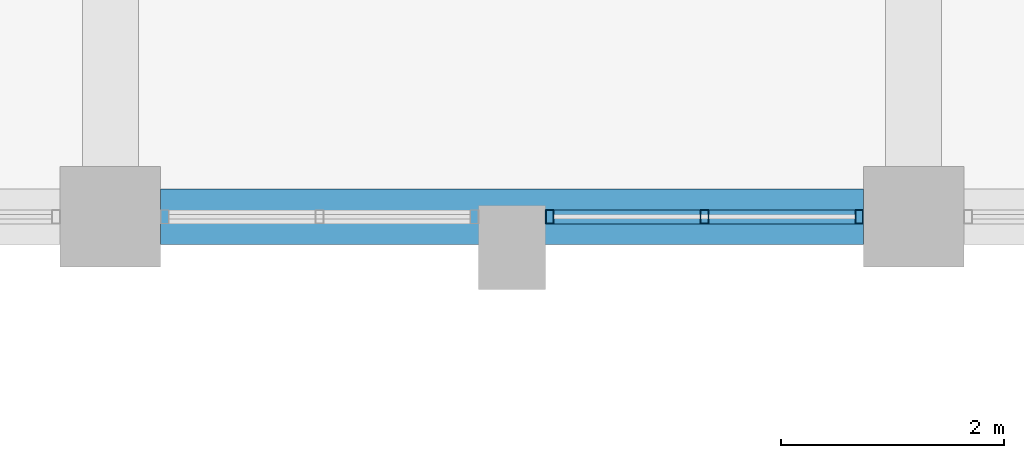
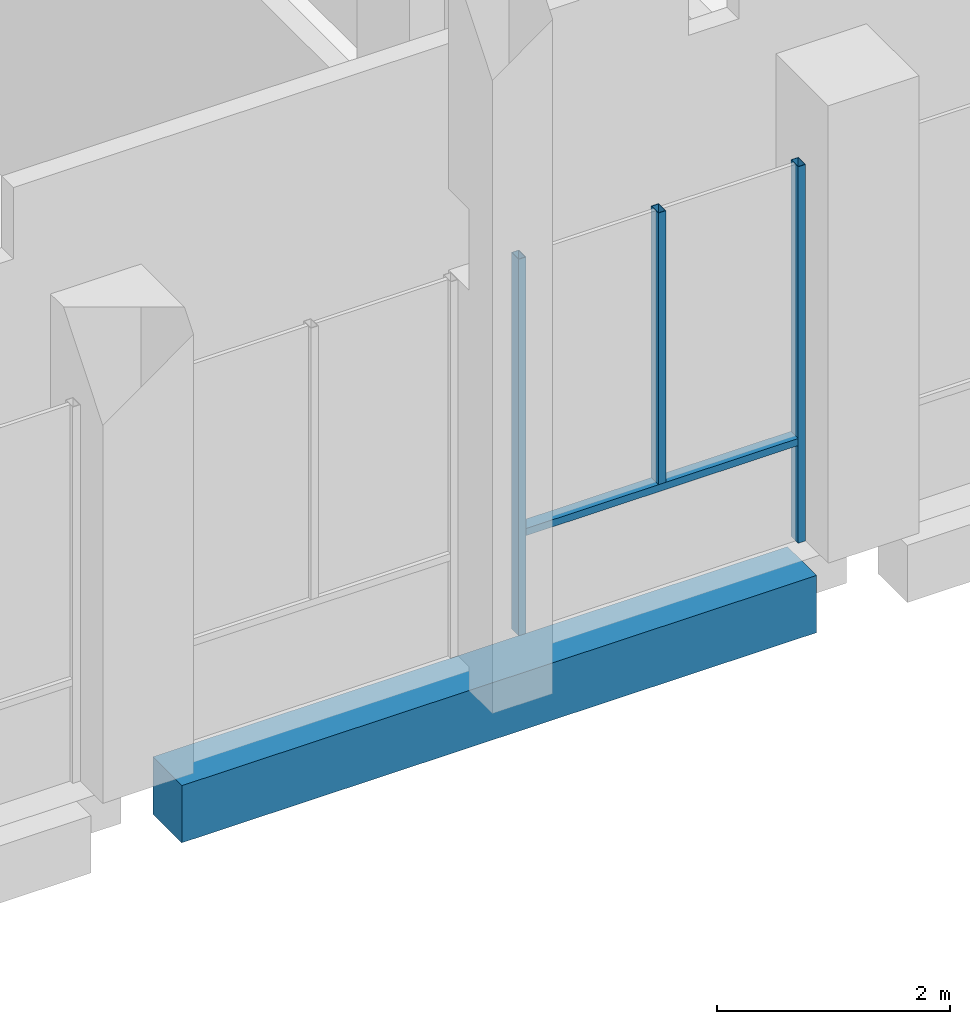
# One storey, part 8 of 40: 4 members, 1 beam, 1 element without a shape of its own.
"""IFC4 building model written with IfcOpenShell, lengths in metres."""

from ifc_helpers import new_model, si_unit, direction, frame, origin, origin_2d, place, context, subcontext, project, spatial, rectangle, hollow_rectangle, extrude, material, material_profile, profile_set, type_object, element, aggregate, save


model = new_model("IFC4")

# Units and contexts
model_context = context("Model", 3, precision=1e-05, world=origin(), true_north=direction((0.0, 1.0)))
body_context = subcontext(model_context, "Body", "Model", "MODEL_VIEW")
ifc_project = project(units=[si_unit("LENGTHUNIT", "METRE"), si_unit("AREAUNIT", "SQUARE_METRE"), si_unit("VOLUMEUNIT", "CUBIC_METRE"), si_unit("PLANEANGLEUNIT", "RADIAN"), si_unit("MASSUNIT", "GRAM", prefix="KILO")], contexts=[model_context])

# Site, building, storey
site_placement = place(None, origin())
site = spatial("IfcSite", under=ifc_project, at=site_placement, CompositionType="ELEMENT")
building_placement = place(site_placement, origin())
building = spatial("IfcBuilding", under=site, at=building_placement, Name="Silangan Lancet Faculty of Sciences", CompositionType="ELEMENT")
storey_placement = place(building_placement, frame((0.0, 0.0, 21.60009765625)))
storey = spatial("IfcBuildingStorey", under=building, at=storey_placement, Name="L04", CompositionType="ELEMENT", Elevation=21.60009765625)

# Beam
ifc_material_1 = material(Name="Concrete C40/50", Category="concrete")
ifc_material_profile_1 = material_profile(ifc_material_1, rectangle(XDim=0.5, YDim=0.60009765625, at=origin_2d()), Name="RC 500x600")
ifc_profile_set_1 = profile_set([ifc_material_profile_1], Name="Concrete C40/50")
beam_type = type_object("IfcBeamType", Name="BEAM RC 500x600", PredefinedType="BEAM", material=ifc_profile_set_1)
beam_placement = place(storey_placement, frame((7.64990234375, 36.0, -0.550048828125), z_axis=(1.0, 0.0, 0.0), x_axis=(0.0, 1.0, 0.0)))
element("IfcBeam", 1, at=beam_placement, inside=storey, type_object=beam_type, Name="BM-L04-2F-3F", PredefinedType="BEAM", context=body_context, shape_type="SweptSolid", body=[
    extrude(rectangle(XDim=0.5, YDim=0.60009765625, at=origin_2d()), origin(), (0.0, 0.0, 1.0), 6.300048828125),
])

# Curtain wall, members
ifc_material_2 = material(Name="Aluminium framed curtain wall with insulated glass", Category="aluminium")
curtain_wall_type = type_object("IfcCurtainWallType", Name="CW2 Atrium fire-resisting screen", PredefinedType="NOTDEFINED", material=ifc_material_2)
curtain_wall_placement = place(storey_placement, origin())
curtain_wall = element("IfcCurtainWall", 2, at=curtain_wall_placement, inside=storey, type_object=curtain_wall_type, Name="CW2 Atrium north L04 bay 4", PredefinedType="NOTDEFINED")
ifc_material_3 = material(Name="Steel S355J2H", Category="steel")
ifc_material_profile_2 = material_profile(ifc_material_3, hollow_rectangle(XDim=0.074951171875, YDim=0.125, WallThickness=0.0048828125, at=origin_2d()), Name="ST BOX 75x125x5")
ifc_profile_set_2 = profile_set([ifc_material_profile_2], Name="Steel S355J2H")
member_type_1 = type_object("IfcMemberType", Name="CM2 Mullion 75x125", PredefinedType="MULLION", material=ifc_profile_set_2)
member_1_placement = place(storey_placement, frame((11.137451171875, 36.0, 0.0), z_axis=(0.0, 0.0, 1.0), x_axis=(1.0, 0.0, 0.0)))
member_1 = element("IfcMember", 3, at=member_1_placement, type_object=member_type_1, Name="CW2 Atrium north L04 bay 4 mullion 1", PredefinedType="MULLION", context=body_context, shape_type="SweptSolid", body=[
    extrude(hollow_rectangle(XDim=0.074951171875, YDim=0.125, WallThickness=0.0048828125, at=origin_2d()), origin(), (0.0, 0.0, 1.0), 3.949951171875),
])
member_2_placement = place(storey_placement, frame((13.91259765625, 36.0, 0.0), z_axis=(0.0, 0.0, 1.0), x_axis=(1.0, 0.0, 0.0)))
member_2 = element("IfcMember", 4, at=member_2_placement, type_object=member_type_1, Name="CW2 Atrium north L04 bay 4 mullion 2", PredefinedType="MULLION", context=body_context, shape_type="SweptSolid", body=[
    extrude(hollow_rectangle(XDim=0.074951171875, YDim=0.125, WallThickness=0.0048828125, at=origin_2d()), origin(), (0.0, 0.0, 1.0), 3.949951171875),
])
member_3_placement = place(storey_placement, frame((12.52490234375, 36.0, 1.099853515625), z_axis=(0.0, 0.0, 1.0), x_axis=(1.0, 0.0, 0.0)))
member_3 = element("IfcMember", 5, at=member_3_placement, type_object=member_type_1, Name="CW2 Atrium north L04 bay 4 mullion 3", PredefinedType="MULLION", context=body_context, shape_type="SweptSolid", body=[
    extrude(hollow_rectangle(XDim=0.074951171875, YDim=0.125, WallThickness=0.0048828125, at=origin_2d()), origin(), (0.0, 0.0, 1.0), 2.85009765625),
])
ifc_material_4 = material(Name="Steel S355J2H", Category="steel")
ifc_material_profile_3 = material_profile(ifc_material_4, hollow_rectangle(XDim=0.125, YDim=0.074951171875, WallThickness=0.0048828125, at=origin_2d()), Name="ST BOX 125x75x5")
ifc_profile_set_3 = profile_set([ifc_material_profile_3], Name="Steel S355J2H")
member_type_2 = type_object("IfcMemberType", Name="CT2 Transom 125x75", PredefinedType="USERDEFINED", material=ifc_profile_set_3)
member_4_placement = place(storey_placement, frame((11.175048828125, 36.0, 1.0625), z_axis=(1.0, 0.0, 0.0), x_axis=(0.0, 1.0, 0.0)))
member_4 = element("IfcMember", 6, at=member_4_placement, type_object=member_type_2, Name="CW2 Atrium north L04 bay 4 transom 1", ObjectType="TRANSOM", PredefinedType="USERDEFINED", context=body_context, shape_type="SweptSolid", body=[
    extrude(hollow_rectangle(XDim=0.125, YDim=0.074951171875, WallThickness=0.0048828125, at=origin_2d()), origin(), (0.0, 0.0, 1.0), 2.699951171875),
])
aggregate(curtain_wall, [member_1, member_2, member_3, member_4])

save(model, "model.ifc")
